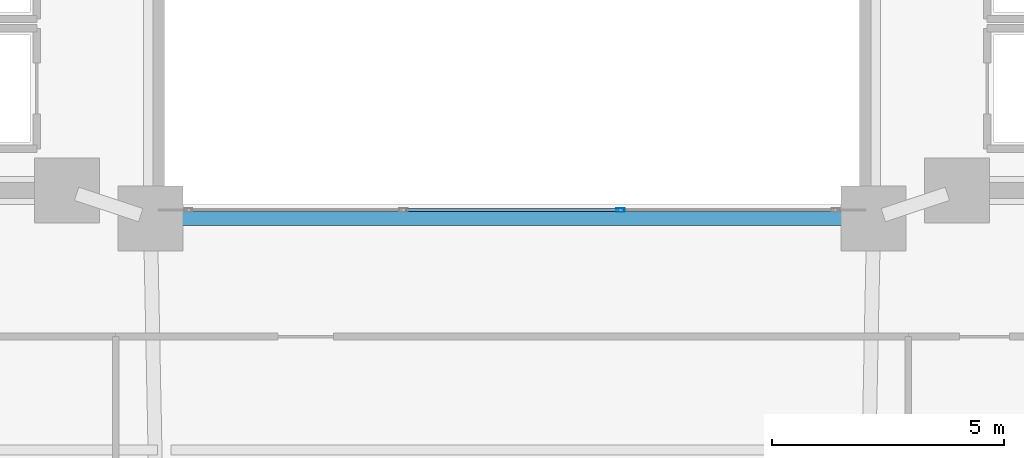
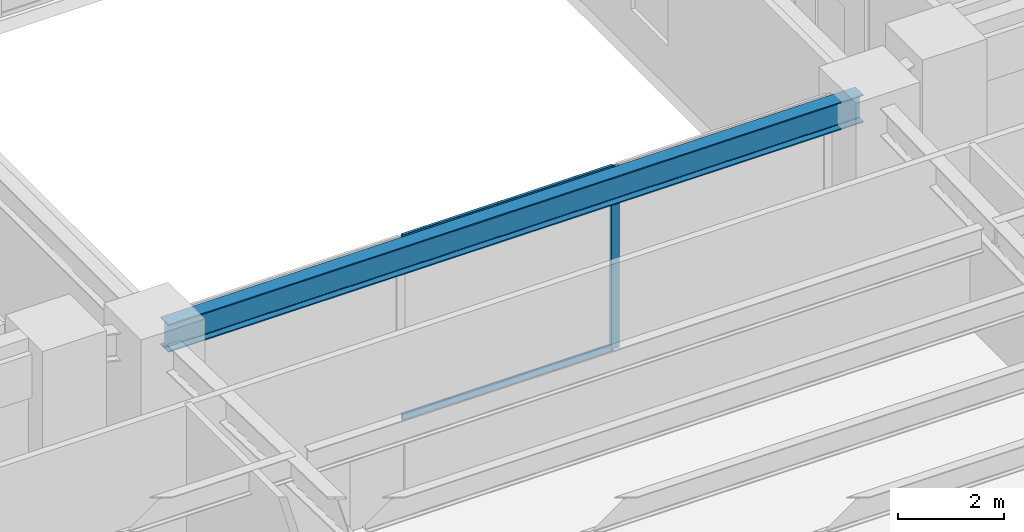
# One storey, part 9 of 39: 3 members, 1 beam, 1 element without a shape of its own.
"""IFC4 building model written with IfcOpenShell, lengths in metres."""

from ifc_helpers import new_model, si_unit, direction, frame, origin, origin_2d, place, context, subcontext, project, spatial, hollow_rectangle, i_section, extrude, material, layer, layer_set, material_profile, profile_set, type_object, element, aggregate, save


model = new_model("IFC4")

# Units and contexts
model_context = context("Model", 3, precision=1e-05, world=origin(), true_north=direction((0.0, 1.0)))
body_context = subcontext(model_context, "Body", "Model", "MODEL_VIEW")
ifc_project = project(units=[si_unit("LENGTHUNIT", "METRE"), si_unit("AREAUNIT", "SQUARE_METRE"), si_unit("VOLUMEUNIT", "CUBIC_METRE"), si_unit("PLANEANGLEUNIT", "RADIAN"), si_unit("MASSUNIT", "GRAM", prefix="KILO")], contexts=[model_context])

# Site, building, storey
site_placement = place(None, origin())
site = spatial("IfcSite", under=ifc_project, at=site_placement, CompositionType="ELEMENT")
building_placement = place(site_placement, origin())
building = spatial("IfcBuilding", under=site, at=building_placement, Name="Tarnavaz Court Tower", CompositionType="ELEMENT")
storey_placement = place(building_placement, frame((0.0, 0.0, 68.699951171875)))
storey = spatial("IfcBuildingStorey", under=building, at=storey_placement, Name="L18", CompositionType="ELEMENT", Elevation=68.699951171875)

# Beam
ifc_material_1 = material(Name="Steel S355", Category="steel")
ifc_material_profile_1 = material_profile(ifc_material_1, i_section(OverallWidth=0.300048828125, OverallDepth=0.639892578125, WebThickness=0.013427734375, FlangeThickness=0.02587890625, FilletRadius=0.027099609375, at=origin_2d()), Name="HEA 650")
ifc_profile_set_1 = profile_set([ifc_material_profile_1], Name="Steel S355")
beam_type = type_object("IfcBeamType", Name="BM-SP-HEA650", PredefinedType="SPANDREL", material=ifc_profile_set_1)
beam_placement = place(storey_placement, frame((-7.580078125, -7.800048828125, 3.880126953125), z_axis=(1.0, 0.0, 0.0), x_axis=(0.0, 1.0, 0.0)))
element("IfcBeam", 1, at=beam_placement, inside=storey, type_object=beam_type, Name="L18 Beam IN-IW-SW-IW-SE", PredefinedType="SPANDREL", context=body_context, shape_type="SweptSolid", body=[
    extrude(i_section(OverallWidth=0.300048828125, OverallDepth=0.639892578125, WebThickness=0.013427734375, FlangeThickness=0.02587890625, FilletRadius=0.027099609375, at=origin_2d()), origin(), (0.0, 0.0, 1.0), 15.16015625),
])

# Curtain wall, members
ifc_material_2 = material(Name="Anodised Aluminium 6063-T6 and Solar Low-E Glazing", Category="aluminium")
ifc_layer = layer(ifc_material_2, 0.139892578125)
ifc_layer_set = layer_set([ifc_layer], Name="Anodised Aluminium 6063-T6 and Solar Low-E Glazing")
curtain_wall_type = type_object("IfcCurtainWallType", Name="CW-SYS-04", PredefinedType="NOTDEFINED", material=ifc_layer_set)
curtain_wall_placement = place(storey_placement, origin())
curtain_wall = element("IfcCurtainWall", 2, at=curtain_wall_placement, inside=storey, type_object=curtain_wall_type, Name="L18 Badgir Courtyard Curtain Wall S", PredefinedType="NOTDEFINED")
ifc_material_3 = material(Name="Anodised Aluminium 6063-T6", Category="aluminium")
ifc_material_profile_2 = material_profile(ifc_material_3, hollow_rectangle(XDim=0.074951171875, YDim=0.179931640625, WallThickness=0.0048828125, InnerFilletRadius=0.0048828125, OuterFilletRadius=0.010009765625, at=origin_2d()), Name="ALU RHS 180X75X5")
ifc_profile_set_2 = profile_set([ifc_material_profile_2], Name="Anodised Aluminium 6063-T6")
member_type_1 = type_object("IfcMemberType", Name="CW-MUL-180", PredefinedType="MULLION", material=ifc_profile_set_2)
member_1_placement = place(storey_placement, frame((2.340087890625, -7.6201171875, 0.0), z_axis=(0.0, 0.0, 1.0), x_axis=(0.0, 1.0, 0.0)))
member_1 = element("IfcMember", 3, at=member_1_placement, type_object=member_type_1, Name="CW mullion 3", PredefinedType="MULLION", context=body_context, shape_type="SweptSolid", body=[
    extrude(hollow_rectangle(XDim=0.074951171875, YDim=0.179931640625, WallThickness=0.0048828125, InnerFilletRadius=0.0048828125, OuterFilletRadius=0.010009765625, at=origin_2d()), origin(), (0.0, 0.0, 1.0), 4.199951171875),
])
ifc_material_profile_3 = material_profile(ifc_material_3, hollow_rectangle(XDim=0.06494140625, YDim=0.139892578125, WallThickness=0.00390625, InnerFilletRadius=0.00390625, OuterFilletRadius=0.008056640625, at=origin_2d()), Name="ALU RHS 140X65X4")
ifc_profile_set_3 = profile_set([ifc_material_profile_3], Name="Anodised Aluminium 6063-T6")
member_type_2 = type_object("IfcMemberType", Name="CW-TRN-140", PredefinedType="USERDEFINED", material=ifc_profile_set_3)
member_2_placement = place(storey_placement, frame((-2.302490234375, -7.6201171875, 0.032470703125), z_axis=(1.0, 0.0, 0.0), x_axis=(0.0, 1.0, 0.0)))
member_2 = element("IfcMember", 4, at=member_2_placement, type_object=member_type_2, Name="CW transom 2.1", ObjectType="TRANSOM", PredefinedType="USERDEFINED", context=body_context, shape_type="SweptSolid", body=[
    extrude(hollow_rectangle(XDim=0.06494140625, YDim=0.139892578125, WallThickness=0.00390625, InnerFilletRadius=0.00390625, OuterFilletRadius=0.008056640625, at=origin_2d()), origin(), (0.0, 0.0, 1.0), 4.60498046875),
])
member_3_placement = place(storey_placement, frame((-2.302490234375, -7.6201171875, 4.16748046875), z_axis=(1.0, 0.0, 0.0), x_axis=(0.0, 1.0, 0.0)))
member_3 = element("IfcMember", 5, at=member_3_placement, type_object=member_type_2, Name="CW transom 2.2", ObjectType="TRANSOM", PredefinedType="USERDEFINED", context=body_context, shape_type="SweptSolid", body=[
    extrude(hollow_rectangle(XDim=0.06494140625, YDim=0.139892578125, WallThickness=0.00390625, InnerFilletRadius=0.00390625, OuterFilletRadius=0.008056640625, at=origin_2d()), origin(), (0.0, 0.0, 1.0), 4.60498046875),
])
aggregate(curtain_wall, [member_1, member_2, member_3])

save(model, "model.ifc")
